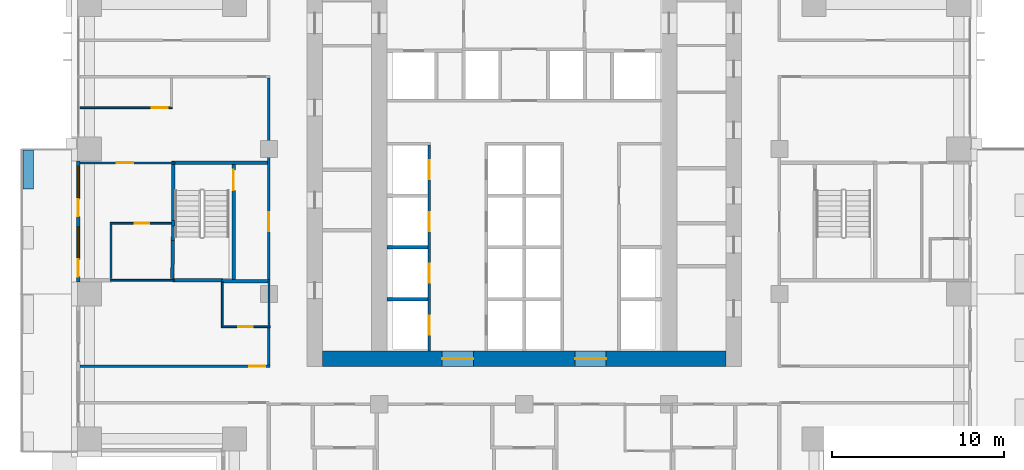
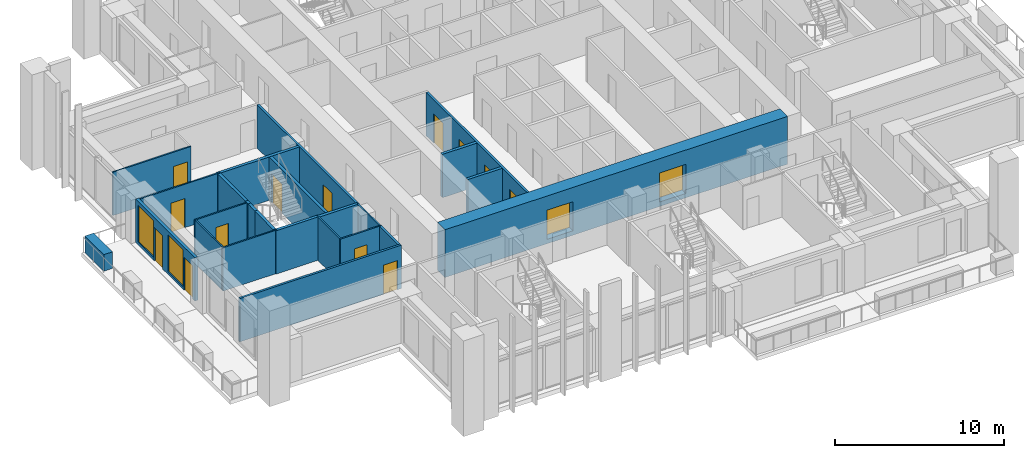
# One storey, part 9 of 19: 25 walls, 15 doors, 2 windows, 17 openings.
"""IFC4 building model written with IfcOpenShell, lengths in metres."""

from ifc_helpers import new_model, si_unit, direction, frame, frame_2d, origin, place, context, subcontext, project, spatial, rectangle, extrude, material, layer, layer_set, type_object, element, fill, save


model = new_model("IFC4")

# Units and contexts
model_context = context("Model", 3, precision=1e-05, world=origin(), true_north=direction((0.0, 1.0)))
body_context = subcontext(model_context, "Body", "Model", "MODEL_VIEW")
ifc_project = project(units=[si_unit("LENGTHUNIT", "METRE"), si_unit("AREAUNIT", "SQUARE_METRE"), si_unit("VOLUMEUNIT", "CUBIC_METRE"), si_unit("PLANEANGLEUNIT", "RADIAN"), si_unit("MASSUNIT", "GRAM", prefix="KILO")], contexts=[model_context])

# Site, building, storey
site_placement = place(None, origin())
site = spatial("IfcSite", under=ifc_project, at=site_placement, CompositionType="ELEMENT")
building_placement = place(site_placement, origin())
building = spatial("IfcBuilding", under=site, at=building_placement, Name="Vermilion Ogive Tower", CompositionType="ELEMENT")
storey_placement = place(building_placement, frame((0.0, 0.0, 48.300048828125)))
storey = spatial("IfcBuildingStorey", under=building, at=storey_placement, Name="L10", CompositionType="ELEMENT", Elevation=48.300048828125)

# Wall, openings, doors
ifc_material_1 = material(Name="Concrete B80", Category="concrete")
ifc_layer_1 = layer(ifc_material_1, 0.89990234375)
ifc_layer_set_1 = layer_set([ifc_layer_1], Name="Core wall 900 B80")
wall_type_1 = type_object("IfcWallType", Name="Core wall 900 B80", PredefinedType="SHEAR", material=ifc_layer_set_1)
wall_1_placement = place(storey_placement, frame((-11.699951171875, -7.949951171875, -0.320068359375), z_axis=(0.0, 0.0, 1.0), x_axis=(1.0, 0.0, 0.0)))
wall_1 = element("IfcWall", 1, at=wall_1_placement, inside=storey, type_object=wall_type_1, Name="L10-CORE-S", PredefinedType="SHEAR", context=body_context, shape_type="SweptSolid", body=[
    extrude(rectangle(XDim=23.39990234375, YDim=0.89990234375, at=frame_2d((11.699951171875, 0.0))), origin(), (0.0, 0.0, 1.0), 3.449951171875),
])
opening_1_placement = place(wall_1_placement, frame((6.949951171875, 0.0, 0.320068359375)))
opening_1 = element("IfcOpeningElement", 2, at=opening_1_placement, cuts=wall_1, Name="Opening DAH005", PredefinedType="OPENING", context=body_context, shape_type="SweptSolid", body=[
    extrude(rectangle(XDim=1.800048828125, YDim=2.10009765625, at=frame_2d((0.89990234375, 1.050048828125))), frame((0.0, 0.4599609375, 0.0), z_axis=(0.0, -1.0, 0.0), x_axis=(1.0, 0.0, 0.0)), (0.0, 0.0, 1.0), 0.919921875),
])
opening_2_placement = place(wall_1_placement, frame((14.64990234375, 0.0, 0.320068359375)))
opening_2 = element("IfcOpeningElement", 3, at=opening_2_placement, cuts=wall_1, Name="Opening DAH006", PredefinedType="OPENING", context=body_context, shape_type="SweptSolid", body=[
    extrude(rectangle(XDim=1.800048828125, YDim=2.10009765625, at=frame_2d((0.89990234375, 1.050048828125))), frame((0.0, 0.4599609375, 0.0), z_axis=(0.0, -1.0, 0.0), x_axis=(1.0, 0.0, 0.0)), (0.0, 0.0, 1.0), 0.919921875),
])
ifc_material_2 = material(Name="Timber door leaf", Category="wood")
door_type_1 = type_object("IfcDoorType", Name="Core entry door 1800 x 2100 FD60S", OperationType="DOUBLE_DOOR_SINGLE_SWING", PredefinedType="DOOR", material=ifc_material_2)
door_1_placement = place(opening_1_placement, origin())
door_1 = element("IfcDoor", 4, at=door_1_placement, inside=storey, type_object=door_type_1, Name="L10-CK-XD1", OperationType="SINGLE_SWING_LEFT", OverallHeight=2.10009765625, OverallWidth=1.800048828125, PredefinedType="DOOR", context=body_context, shape_type="SweptSolid", body=[
    extrude(rectangle(XDim=1.800048828125, YDim=2.10009765625, at=frame_2d((0.89990234375, 1.050048828125))), frame((0.0, 0.02490234375, 0.0), z_axis=(0.0, -1.0, 0.0), x_axis=(1.0, 0.0, 0.0)), (0.0, 0.0, 1.0), 0.050048828125),
])
fill(opening_1, door_1)
door_2_placement = place(opening_2_placement, origin())
door_2 = element("IfcDoor", 5, at=door_2_placement, inside=storey, type_object=door_type_1, Name="L10-CK-XD2", OperationType="SINGLE_SWING_LEFT", OverallHeight=2.10009765625, OverallWidth=1.800048828125, PredefinedType="DOOR", context=body_context, shape_type="SweptSolid", body=[
    extrude(rectangle(XDim=1.800048828125, YDim=2.10009765625, at=frame_2d((0.89990234375, 1.050048828125))), frame((0.0, 0.02490234375, 0.0), z_axis=(0.0, -1.0, 0.0), x_axis=(1.0, 0.0, 0.0)), (0.0, 0.0, 1.0), 0.050048828125),
])
fill(opening_2, door_2)

# Wall, opening, door
ifc_material_3 = material(Name="Gypsum board partition on steel studs", Category="steel")
ifc_layer_2 = layer(ifc_material_3, 0.10009765625)
ifc_layer_set_2 = layer_set([ifc_layer_2], Name="Partition 100 bath")
wall_type_2 = type_object("IfcWallType", Name="Partition 100 bath", PredefinedType="PARTITIONING", material=ifc_layer_set_2)
wall_2_placement = place(storey_placement, frame((-17.550048828125, -6.10009765625, 0.0), z_axis=(0.0, 0.0, 1.0), x_axis=(1.0, 0.0, 0.0)))
wall_2 = element("IfcWall", 6, at=wall_2_placement, inside=storey, type_object=wall_type_2, Name="L10-W-W017", PredefinedType="PARTITIONING", context=body_context, shape_type="SweptSolid", body=[
    extrude(rectangle(XDim=2.824951171875, YDim=0.10009765625, at=frame_2d((1.41259765625, 0.0))), origin(), (0.0, 0.0, 1.0), 3.1298828125),
])
opening_3_placement = place(wall_2_placement, frame((0.97509765625, 0.0, 0.0)))
opening_3 = element("IfcOpeningElement", 7, at=opening_3_placement, cuts=wall_2, Name="Opening D1G3004", PredefinedType="OPENING", context=body_context, shape_type="SweptSolid", body=[
    extrude(rectangle(XDim=0.85009765625, YDim=2.10009765625, at=frame_2d((0.425048828125, 1.050048828125))), frame((0.0, 0.06005859375, 0.0), z_axis=(0.0, -1.0, 0.0), x_axis=(1.0, 0.0, 0.0)), (0.0, 0.0, 1.0), 0.1201171875),
])
ifc_material_4 = material(Name="Timber door leaf", Category="wood")
door_type_2 = type_object("IfcDoorType", Name="Bath door 850 x 2100 FD30", OperationType="SINGLE_SWING_LEFT", PredefinedType="DOOR", material=ifc_material_4)
door_3_placement = place(opening_3_placement, origin())
door_3 = element("IfcDoor", 8, at=door_3_placement, inside=storey, type_object=door_type_2, Name="L10-D-D004", OperationType="SINGLE_SWING_LEFT", OverallHeight=2.10009765625, OverallWidth=0.85009765625, PredefinedType="DOOR", context=body_context, shape_type="SweptSolid", body=[
    extrude(rectangle(XDim=0.85009765625, YDim=2.10009765625, at=frame_2d((0.425048828125, 1.050048828125))), frame((0.0, 0.02490234375, 0.0), z_axis=(0.0, -1.0, 0.0), x_axis=(1.0, 0.0, 0.0)), (0.0, 0.0, 1.0), 0.050048828125),
])
fill(opening_3, door_3)

# Wall
wall_3_placement = place(storey_placement, frame((-24.0, -3.39990234375, 0.0), z_axis=(0.0, 0.0, 1.0), x_axis=(1.0, 0.0, 0.0)))
element("IfcWall", 9, at=wall_3_placement, inside=storey, type_object=wall_type_2, Name="L10-W-W019", PredefinedType="PARTITIONING", context=body_context, shape_type="SweptSolid", body=[
    extrude(rectangle(XDim=3.699951171875, YDim=0.10009765625, at=frame_2d((1.85009765625, 0.0))), origin(), (0.0, 0.0, 1.0), 3.1298828125),
])

# Wall, opening, door
wall_4_placement = place(storey_placement, frame((-24.0, -0.10009765625, 0.0), z_axis=(0.0, 0.0, 1.0), x_axis=(1.0, 0.0, 0.0)))
wall_4 = element("IfcWall", 10, at=wall_4_placement, inside=storey, type_object=wall_type_2, Name="L10-W-W025", PredefinedType="PARTITIONING", context=body_context, shape_type="SweptSolid", body=[
    extrude(rectangle(XDim=3.550048828125, YDim=0.10009765625, at=frame_2d((1.77490234375, 0.0))), origin(), (0.0, 0.0, 1.0), 3.1298828125),
])
opening_4_placement = place(wall_4_placement, frame((1.425048828125, 0.0, 0.0)))
opening_4 = element("IfcOpeningElement", 11, at=opening_4_placement, cuts=wall_4, Name="Opening D1G3008", PredefinedType="OPENING", context=body_context, shape_type="SweptSolid", body=[
    extrude(rectangle(XDim=0.85009765625, YDim=2.10009765625, at=frame_2d((0.425048828125, 1.050048828125))), frame((0.0, 0.06005859375, 0.0), z_axis=(0.0, -1.0, 0.0), x_axis=(1.0, 0.0, 0.0)), (0.0, 0.0, 1.0), 0.1201171875),
])
door_4_placement = place(opening_4_placement, origin())
door_4 = element("IfcDoor", 12, at=door_4_placement, inside=storey, type_object=door_type_2, Name="L10-D-D008", OperationType="SINGLE_SWING_RIGHT", OverallHeight=2.10009765625, OverallWidth=0.85009765625, PredefinedType="DOOR", context=body_context, shape_type="SweptSolid", body=[
    extrude(rectangle(XDim=0.85009765625, YDim=2.10009765625, at=frame_2d((0.425048828125, 1.050048828125))), frame((0.0, 0.02490234375, 0.0), z_axis=(0.0, -1.0, 0.0), x_axis=(1.0, 0.0, 0.0)), (0.0, 0.0, 1.0), 0.050048828125),
])
fill(opening_4, door_4)

# Walls
wall_5_placement = place(storey_placement, frame((-23.949951171875, -3.300048828125, 0.0), z_axis=(0.0, 0.0, 1.0), x_axis=(0.0, 1.0, 0.0)))
element("IfcWall", 13, at=wall_5_placement, inside=storey, type_object=wall_type_2, Name="L10-W-W041", PredefinedType="PARTITIONING", context=body_context, shape_type="SweptSolid", body=[
    extrude(rectangle(XDim=3.150146484375, YDim=0.10009765625, at=frame_2d((1.5751953125, 0.0))), origin(), (0.0, 0.0, 1.0), 3.1298828125),
])
wall_6_placement = place(storey_placement, frame((-17.5, -6.050048828125, 0.0), z_axis=(0.0, 0.0, 1.0), x_axis=(0.0, 1.0, 0.0)))
element("IfcWall", 14, at=wall_6_placement, inside=storey, type_object=wall_type_2, Name="L10-W-W045", PredefinedType="PARTITIONING", context=body_context, shape_type="SweptSolid", body=[
    extrude(rectangle(XDim=2.550048828125, YDim=0.10009765625, at=frame_2d((1.27490234375, 0.0))), origin(), (0.0, 0.0, 1.0), 3.1298828125),
])
wall_7_placement = place(storey_placement, frame((-14.800048828125, -6.050048828125, 0.0), z_axis=(0.0, 0.0, 1.0), x_axis=(0.0, 1.0, 0.0)))
element("IfcWall", 15, at=wall_7_placement, inside=storey, type_object=wall_type_2, Name="L10-W-W051", PredefinedType="PARTITIONING", context=body_context, shape_type="SweptSolid", body=[
    extrude(rectangle(XDim=2.60009765625, YDim=0.10009765625, at=frame_2d((1.300048828125, 0.0))), origin(), (0.0, 0.0, 1.0), 3.1298828125),
])

# Wall, opening, door
ifc_material_5 = material(Name="Gypsum board partition on steel studs", Category="steel")
ifc_layer_3 = layer(ifc_material_5, 0.10009765625)
ifc_layer_set_3 = layer_set([ifc_layer_3], Name="Partition 100 inner")
wall_type_3 = type_object("IfcWallType", Name="Partition 100 inner", PredefinedType="PARTITIONING", material=ifc_layer_set_3)
wall_8_placement = place(storey_placement, frame((-25.75, 3.39990234375, 0.0), z_axis=(0.0, 0.0, 1.0), x_axis=(1.0, 0.0, 0.0)))
wall_8 = element("IfcWall", 16, at=wall_8_placement, inside=storey, type_object=wall_type_3, Name="L10-W-W026", PredefinedType="PARTITIONING", context=body_context, shape_type="SweptSolid", body=[
    extrude(rectangle(XDim=5.5, YDim=0.10009765625, at=frame_2d((2.75, 0.0))), origin(), (0.0, 0.0, 1.0), 3.1298828125),
])
opening_5_placement = place(wall_8_placement, frame((2.125, 0.0, 0.0)))
opening_5 = element("IfcOpeningElement", 17, at=opening_5_placement, cuts=wall_8, Name="Opening D1G3007", PredefinedType="OPENING", context=body_context, shape_type="SweptSolid", body=[
    extrude(rectangle(XDim=0.949951171875, YDim=2.10009765625, at=frame_2d((0.47509765625, 1.050048828125))), frame((0.0, 0.06005859375, 0.0), z_axis=(0.0, -1.0, 0.0), x_axis=(1.0, 0.0, 0.0)), (0.0, 0.0, 1.0), 0.1201171875),
])
ifc_material_6 = material(Name="Timber door leaf", Category="wood")
door_type_3 = type_object("IfcDoorType", Name="Inner door 950 x 2100 FD30", OperationType="SINGLE_SWING_LEFT", PredefinedType="DOOR", material=ifc_material_6)
door_5_placement = place(opening_5_placement, origin())
door_5 = element("IfcDoor", 18, at=door_5_placement, inside=storey, type_object=door_type_3, Name="L10-D-D007", OperationType="SINGLE_SWING_LEFT", OverallHeight=2.10009765625, OverallWidth=0.949951171875, PredefinedType="DOOR", context=body_context, shape_type="SweptSolid", body=[
    extrude(rectangle(XDim=0.949951171875, YDim=2.10009765625, at=frame_2d((0.47509765625, 1.050048828125))), frame((0.0, 0.02490234375, 0.0), z_axis=(0.0, -1.0, 0.0), x_axis=(1.0, 0.0, 0.0)), (0.0, 0.0, 1.0), 0.050048828125),
])
fill(opening_5, door_5)

wall_9_placement = place(storey_placement, frame((-25.75, 6.60009765625, 0.0), z_axis=(0.0, 0.0, 1.0), x_axis=(1.0, 0.0, 0.0)))
wall_9 = element("IfcWall", 19, at=wall_9_placement, inside=storey, type_object=wall_type_3, Name="L10-W-W030", PredefinedType="PARTITIONING", context=body_context, shape_type="SweptSolid", body=[
    extrude(rectangle(XDim=5.35009765625, YDim=0.10009765625, at=frame_2d((2.675048828125, 0.0))), origin(), (0.0, 0.0, 1.0), 3.1298828125),
])
opening_6_placement = place(wall_9_placement, frame((4.14990234375, 0.0, 0.0)))
opening_6 = element("IfcOpeningElement", 20, at=opening_6_placement, cuts=wall_9, Name="Opening D1G3005", PredefinedType="OPENING", context=body_context, shape_type="SweptSolid", body=[
    extrude(rectangle(XDim=0.949951171875, YDim=2.10009765625, at=frame_2d((0.47509765625, 1.050048828125))), frame((0.0, 0.06005859375, 0.0), z_axis=(0.0, -1.0, 0.0), x_axis=(1.0, 0.0, 0.0)), (0.0, 0.0, 1.0), 0.1201171875),
])
door_6_placement = place(opening_6_placement, origin())
door_6 = element("IfcDoor", 21, at=door_6_placement, inside=storey, type_object=door_type_3, Name="L10-D-D005", OperationType="SINGLE_SWING_LEFT", OverallHeight=2.10009765625, OverallWidth=0.949951171875, PredefinedType="DOOR", context=body_context, shape_type="SweptSolid", body=[
    extrude(rectangle(XDim=0.949951171875, YDim=2.10009765625, at=frame_2d((0.47509765625, 1.050048828125))), frame((0.0, 0.02490234375, 0.0), z_axis=(0.0, -1.0, 0.0), x_axis=(1.0, 0.0, 0.0)), (0.0, 0.0, 1.0), 0.050048828125),
])
fill(opening_6, door_6)

ifc_material_7 = material(Name="Gypsum board partition on steel studs", Category="steel")
ifc_layer_4 = layer(ifc_material_7, 0.14990234375)
ifc_layer_set_4 = layer_set([ifc_layer_4], Name="Partition 150 corridor")
wall_type_4 = type_object("IfcWallType", Name="Partition 150 corridor", PredefinedType="PARTITIONING", material=ifc_layer_set_4)
wall_10_placement = place(storey_placement, frame((-25.75, -8.39990234375, 0.0), z_axis=(0.0, 0.0, 1.0), x_axis=(1.0, 0.0, 0.0)))
wall_10 = element("IfcWall", 22, at=wall_10_placement, inside=storey, type_object=wall_type_4, Name="L10-W-W015", PredefinedType="PARTITIONING", context=body_context, shape_type="SweptSolid", body=[
    extrude(rectangle(XDim=11.02490234375, YDim=0.14990234375, at=frame_2d((5.512451171875, 0.0))), origin(), (0.0, 0.0, 1.0), 3.1298828125),
])
opening_7_placement = place(wall_10_placement, frame((9.800048828125, 0.0, 0.0)))
opening_7 = element("IfcOpeningElement", 23, at=opening_7_placement, cuts=wall_10, Name="Opening D1G3003", PredefinedType="OPENING", context=body_context, shape_type="SweptSolid", body=[
    extrude(rectangle(XDim=0.949951171875, YDim=2.10009765625, at=frame_2d((0.47509765625, 1.050048828125))), frame((0.0, 0.0849609375, 0.0), z_axis=(0.0, -1.0, 0.0), x_axis=(1.0, 0.0, 0.0)), (0.0, 0.0, 1.0), 0.169921875),
])
ifc_material_8 = material(Name="Timber door leaf", Category="wood")
door_type_4 = type_object("IfcDoorType", Name="Unit door 950 x 2100 FD30S", OperationType="SINGLE_SWING_LEFT", PredefinedType="DOOR", material=ifc_material_8)
door_7_placement = place(opening_7_placement, origin())
door_7 = element("IfcDoor", 24, at=door_7_placement, inside=storey, type_object=door_type_4, Name="L10-D-D003", OperationType="SINGLE_SWING_LEFT", OverallHeight=2.10009765625, OverallWidth=0.949951171875, PredefinedType="DOOR", context=body_context, shape_type="SweptSolid", body=[
    extrude(rectangle(XDim=0.949951171875, YDim=2.10009765625, at=frame_2d((0.47509765625, 1.050048828125))), frame((0.0, 0.02490234375, 0.0), z_axis=(0.0, -1.0, 0.0), x_axis=(1.0, 0.0, 0.0)), (0.0, 0.0, 1.0), 0.050048828125),
])
fill(opening_7, door_7)

# Wall
wall_11_placement = place(storey_placement, frame((-14.800048828125, -8.324951171875, 0.0), z_axis=(0.0, 0.0, 1.0), x_axis=(0.0, 1.0, 0.0)))
element("IfcWall", 25, at=wall_11_placement, inside=storey, type_object=wall_type_4, Name="L10-W-W050", PredefinedType="PARTITIONING", context=body_context, shape_type="SweptSolid", body=[
    extrude(rectangle(XDim=2.175048828125, YDim=0.14990234375, at=frame_2d((1.08740234375, 0.0))), origin(), (0.0, 0.0, 1.0), 3.1298828125),
])

# Wall, opening, door
wall_12_placement = place(storey_placement, frame((-14.800048828125, -3.35009765625, 0.0), z_axis=(0.0, 0.0, 1.0), x_axis=(0.0, 1.0, 0.0)))
wall_12 = element("IfcWall", 26, at=wall_12_placement, inside=storey, type_object=wall_type_4, Name="L10-W-W052", PredefinedType="PARTITIONING", context=body_context, shape_type="SweptSolid", body=[
    extrude(rectangle(XDim=11.675048828125, YDim=0.14990234375, at=frame_2d((5.83740234375, 0.0))), origin(), (0.0, 0.0, 1.0), 3.1298828125),
])
opening_8_placement = place(wall_12_placement, frame((2.800048828125, 0.0, 0.0)))
opening_8 = element("IfcOpeningElement", 27, at=opening_8_placement, cuts=wall_12, Name="Opening D1G3031", PredefinedType="OPENING", context=body_context, shape_type="SweptSolid", body=[
    extrude(rectangle(XDim=1.10009765625, YDim=2.10009765625, at=frame_2d((0.550048828125, 1.050048828125))), frame((0.0, 0.0849609375, 0.0), z_axis=(0.0, -1.0, 0.0), x_axis=(1.0, 0.0, 0.0)), (0.0, 0.0, 1.0), 0.169921875),
])
ifc_material_9 = material(Name="Timber door leaf", Category="wood")
door_type_5 = type_object("IfcDoorType", Name="Stair door 1100 x 2100 FD60S", OperationType="SINGLE_SWING_LEFT", PredefinedType="DOOR", material=ifc_material_9)
door_8_placement = place(opening_8_placement, origin())
door_8 = element("IfcDoor", 28, at=door_8_placement, inside=storey, type_object=door_type_5, Name="L10-D-D031", OperationType="SINGLE_SWING_RIGHT", OverallHeight=2.10009765625, OverallWidth=1.10009765625, PredefinedType="DOOR", context=body_context, shape_type="SweptSolid", body=[
    extrude(rectangle(XDim=1.10009765625, YDim=2.10009765625, at=frame_2d((0.550048828125, 1.050048828125))), frame((0.0, 0.02490234375, 0.0), z_axis=(0.0, -1.0, 0.0), x_axis=(1.0, 0.0, 0.0)), (0.0, 0.0, 1.0), 0.050048828125),
])
fill(opening_8, door_8)

# Wall, openings, doors
wall_13_placement = place(storey_placement, frame((-5.5, -7.4990234375, 0.0), z_axis=(0.0, 0.0, 1.0), x_axis=(0.0, 1.0, 0.0)))
wall_13 = element("IfcWall", 29, at=wall_13_placement, inside=storey, type_object=wall_type_4, Name="L10-CK-W-W021", PredefinedType="PARTITIONING", context=body_context, shape_type="SweptSolid", body=[
    extrude(rectangle(XDim=11.924072265625, YDim=0.14990234375, at=frame_2d((5.9619140625, 0.0))), origin(), (0.0, 0.0, 1.0), 3.1298828125),
])
opening_9_placement = place(wall_13_placement, frame((0.948974609375, 0.0, 0.0)))
opening_9 = element("IfcOpeningElement", 30, at=opening_9_placement, cuts=wall_13, Name="Opening DAA056", PredefinedType="OPENING", context=body_context, shape_type="SweptSolid", body=[
    extrude(rectangle(XDim=1.10009765625, YDim=2.10009765625, at=frame_2d((0.550048828125, 1.050048828125))), frame((0.0, 0.0849609375, 0.0), z_axis=(0.0, -1.0, 0.0), x_axis=(1.0, 0.0, 0.0)), (0.0, 0.0, 1.0), 0.169921875),
])
opening_10_placement = place(wall_13_placement, frame((3.948974609375, 0.0, 0.0)))
opening_10 = element("IfcOpeningElement", 31, at=opening_10_placement, cuts=wall_13, Name="Opening DAA059", PredefinedType="OPENING", context=body_context, shape_type="SweptSolid", body=[
    extrude(rectangle(XDim=1.10009765625, YDim=2.10009765625, at=frame_2d((0.550048828125, 1.050048828125))), frame((0.0, 0.0849609375, 0.0), z_axis=(0.0, -1.0, 0.0), x_axis=(1.0, 0.0, 0.0)), (0.0, 0.0, 1.0), 0.169921875),
])
opening_11_placement = place(wall_13_placement, frame((6.948974609375, 0.0, 0.0)))
opening_11 = element("IfcOpeningElement", 32, at=opening_11_placement, cuts=wall_13, Name="Opening DAA060", PredefinedType="OPENING", context=body_context, shape_type="SweptSolid", body=[
    extrude(rectangle(XDim=1.10009765625, YDim=2.10009765625, at=frame_2d((0.550048828125, 1.050048828125))), frame((0.0, 0.0849609375, 0.0), z_axis=(0.0, -1.0, 0.0), x_axis=(1.0, 0.0, 0.0)), (0.0, 0.0, 1.0), 0.169921875),
])
opening_12_placement = place(wall_13_placement, frame((9.948974609375, 0.0, 0.0)))
opening_12 = element("IfcOpeningElement", 33, at=opening_12_placement, cuts=wall_13, Name="Opening DAA061", PredefinedType="OPENING", context=body_context, shape_type="SweptSolid", body=[
    extrude(rectangle(XDim=1.10009765625, YDim=2.10009765625, at=frame_2d((0.550048828125, 1.050048828125))), frame((0.0, 0.0849609375, 0.0), z_axis=(0.0, -1.0, 0.0), x_axis=(1.0, 0.0, 0.0)), (0.0, 0.0, 1.0), 0.169921875),
])
ifc_material_10 = material(Name="Stainless steel", Category="steel")
door_type_6 = type_object("IfcDoorType", Name="Lift landing door 1100 x 2100", OperationType="SLIDING_TO_LEFT", PredefinedType="DOOR", material=ifc_material_10)
door_9_placement = place(opening_9_placement, origin())
door_9 = element("IfcDoor", 34, at=door_9_placement, inside=storey, type_object=door_type_6, Name="L10-CK-D-D001", OperationType="SLIDING_TO_RIGHT", OverallHeight=2.10009765625, OverallWidth=1.10009765625, PredefinedType="DOOR", context=body_context, shape_type="SweptSolid", body=[
    extrude(rectangle(XDim=1.10009765625, YDim=2.10009765625, at=frame_2d((0.550048828125, 1.050048828125))), frame((0.0, 0.02490234375, 0.0), z_axis=(0.0, -1.0, 0.0), x_axis=(1.0, 0.0, 0.0)), (0.0, 0.0, 1.0), 0.050048828125),
])
fill(opening_9, door_9)
door_10_placement = place(opening_10_placement, origin())
door_10 = element("IfcDoor", 35, at=door_10_placement, inside=storey, type_object=door_type_6, Name="L10-CK-D-D002", OperationType="SLIDING_TO_RIGHT", OverallHeight=2.10009765625, OverallWidth=1.10009765625, PredefinedType="DOOR", context=body_context, shape_type="SweptSolid", body=[
    extrude(rectangle(XDim=1.10009765625, YDim=2.10009765625, at=frame_2d((0.550048828125, 1.050048828125))), frame((0.0, 0.02490234375, 0.0), z_axis=(0.0, -1.0, 0.0), x_axis=(1.0, 0.0, 0.0)), (0.0, 0.0, 1.0), 0.050048828125),
])
fill(opening_10, door_10)
door_11_placement = place(opening_11_placement, origin())
door_11 = element("IfcDoor", 36, at=door_11_placement, inside=storey, type_object=door_type_6, Name="L10-CK-D-D003", OperationType="SLIDING_TO_RIGHT", OverallHeight=2.10009765625, OverallWidth=1.10009765625, PredefinedType="DOOR", context=body_context, shape_type="SweptSolid", body=[
    extrude(rectangle(XDim=1.10009765625, YDim=2.10009765625, at=frame_2d((0.550048828125, 1.050048828125))), frame((0.0, 0.02490234375, 0.0), z_axis=(0.0, -1.0, 0.0), x_axis=(1.0, 0.0, 0.0)), (0.0, 0.0, 1.0), 0.050048828125),
])
fill(opening_11, door_11)
door_12_placement = place(opening_12_placement, origin())
door_12 = element("IfcDoor", 37, at=door_12_placement, inside=storey, type_object=door_type_6, Name="L10-CK-D-D004", OperationType="SLIDING_TO_RIGHT", OverallHeight=2.10009765625, OverallWidth=1.10009765625, PredefinedType="DOOR", context=body_context, shape_type="SweptSolid", body=[
    extrude(rectangle(XDim=1.10009765625, YDim=2.10009765625, at=frame_2d((0.550048828125, 1.050048828125))), frame((0.0, 0.02490234375, 0.0), z_axis=(0.0, -1.0, 0.0), x_axis=(1.0, 0.0, 0.0)), (0.0, 0.0, 1.0), 0.050048828125),
])
fill(opening_12, door_12)

# Walls
ifc_material_11 = material(Name="Gypsum board partition on steel studs", Category="steel")
ifc_layer_5 = layer(ifc_material_11, 0.199951171875)
ifc_layer_set_5 = layer_set([ifc_layer_5], Name="Partition 200 party")
wall_type_5 = type_object("IfcWallType", Name="Partition 200 party", PredefinedType="PARTITIONING", material=ifc_layer_set_5)
for number, where, z_axis, x_axis, name in (
    (38, (-7.948974609375, -4.5, 0.0), (0.0, 0.0, 1.0), (1.0, 0.0, 0.0), "L10-CK-W-W001"),
    (39, (-7.948974609375, -1.5, 0.0), (0.0, 0.0, 1.0), (1.0, 0.0, 0.0), "L10-CK-W-W004"),
):
    element("IfcWall", number, at=place(storey_placement, frame(where, z_axis=z_axis, x_axis=x_axis)), inside=storey, type_object=wall_type_5, Name=name, PredefinedType="PARTITIONING", context=body_context, shape_type="SweptSolid", body=[
        extrude(rectangle(XDim=2.3740234375, YDim=0.199951171875, at=frame_2d((1.18701171875, 0.0))), origin(), (0.0, 0.0, 1.0), 3.1298828125),
    ])
ifc_material_12 = material(Name="Concrete B60", Category="concrete")
ifc_layer_6 = layer(ifc_material_12, 0.199951171875)
ifc_layer_set_6 = layer_set([ifc_layer_6], Name="Stair shaft wall 200 Concrete B60")
wall_type_6 = type_object("IfcWallType", Name="Stair shaft wall 200 Concrete B60", PredefinedType="SOLIDWALL", material=ifc_layer_set_6)
wall_14_placement = place(storey_placement, frame((-20.39990234375, -3.39990234375, 0.0), z_axis=(0.0, 0.0, 1.0), x_axis=(1.0, 0.0, 0.0)))
element("IfcWall", 40, at=wall_14_placement, inside=storey, type_object=wall_type_6, Name="L10-W-W020", PredefinedType="SOLIDWALL", context=body_context, shape_type="SweptSolid", body=[
    extrude(rectangle(XDim=2.949951171875, YDim=0.199951171875, at=frame_2d((1.47509765625, 0.0))), origin(), (0.0, 0.0, 1.0), 3.1298828125),
])
wall_15_placement = place(storey_placement, frame((-17.550048828125, -3.449951171875, 0.0), z_axis=(0.0, 0.0, 1.0), x_axis=(1.0, 0.0, 0.0)))
element("IfcWall", 41, at=wall_15_placement, inside=storey, type_object=wall_type_6, Name="L10-W-W021", PredefinedType="SOLIDWALL", context=body_context, shape_type="SweptSolid", body=[
    extrude(rectangle(XDim=2.824951171875, YDim=0.199951171875, at=frame_2d((1.41259765625, 0.0))), origin(), (0.0, 0.0, 1.0), 3.1298828125),
])
wall_16_placement = place(storey_placement, frame((-20.449951171875, 3.39990234375, 0.0), z_axis=(0.0, 0.0, 1.0), x_axis=(1.0, 0.0, 0.0)))
element("IfcWall", 42, at=wall_16_placement, inside=storey, type_object=wall_type_6, Name="L10-W-W027", PredefinedType="SOLIDWALL", context=body_context, shape_type="SweptSolid", body=[
    extrude(rectangle(XDim=5.574951171875, YDim=0.199951171875, at=frame_2d((2.78759765625, 0.0))), origin(), (0.0, 0.0, 1.0), 3.1298828125),
])
wall_17_placement = place(storey_placement, frame((-20.400146484375, -3.300048828125, 0.0), z_axis=(0.0, 0.0, 1.0), x_axis=(0.016200292967, 0.999868766643, 0.0)))
element("IfcWall", 43, at=wall_17_placement, inside=storey, type_object=wall_type_6, Name="L10-W-W043", PredefinedType="SOLIDWALL", context=body_context, shape_type="SweptSolid", body=[
    extrude(rectangle(XDim=2.2001953125, YDim=0.199951171875, at=frame_2d((1.10009765625, 0.0))), origin(), (0.0, 0.0, 1.0), 3.1298828125),
])
wall_18_placement = place(storey_placement, frame((-20.35009765625, 0.070068359375, 0.0), z_axis=(0.0, 0.0, 1.0), x_axis=(0.0, 1.0, 0.0)))
element("IfcWall", 44, at=wall_18_placement, inside=storey, type_object=wall_type_6, Name="L10-W-W044", PredefinedType="SOLIDWALL", context=body_context, shape_type="SweptSolid", body=[
    extrude(rectangle(XDim=3.22998046875, YDim=0.199951171875, at=frame_2d((1.614990234375, 0.0))), origin(), (0.0, 0.0, 1.0), 3.1298828125),
])

# Wall, opening, door
wall_19_placement = place(storey_placement, frame((-16.85009765625, -3.35009765625, 0.0), z_axis=(0.0, 0.0, 1.0), x_axis=(0.0, 1.0, 0.0)))
wall_19 = element("IfcWall", 45, at=wall_19_placement, inside=storey, type_object=wall_type_6, Name="L10-W-W047", PredefinedType="SOLIDWALL", context=body_context, shape_type="SweptSolid", body=[
    extrude(rectangle(XDim=6.650146484375, YDim=0.199951171875, at=frame_2d((3.3251953125, 0.0))), origin(), (0.0, 0.0, 1.0), 3.1298828125),
])
opening_13_placement = place(wall_19_placement, frame((5.14990234375, 0.0, 0.0)))
opening_13 = element("IfcOpeningElement", 46, at=opening_13_placement, cuts=wall_19, Name="Opening D1G3032", PredefinedType="OPENING", context=body_context, shape_type="SweptSolid", body=[
    extrude(rectangle(XDim=1.199951171875, YDim=2.10009765625, at=frame_2d((0.60009765625, 1.050048828125))), frame((0.0, 0.10986328125, 0.0), z_axis=(0.0, -1.0, 0.0), x_axis=(1.0, 0.0, 0.0)), (0.0, 0.0, 1.0), 0.219970703125),
])
ifc_material_13 = material(Name="Timber door leaf", Category="wood")
door_type_7 = type_object("IfcDoorType", Name="Stair door 1200 x 2100 FD60S", OperationType="SINGLE_SWING_LEFT", PredefinedType="DOOR", material=ifc_material_13)
door_13_placement = place(opening_13_placement, origin())
door_13 = element("IfcDoor", 47, at=door_13_placement, inside=storey, type_object=door_type_7, Name="L10-D-D032", OperationType="SINGLE_SWING_RIGHT", OverallHeight=2.10009765625, OverallWidth=1.199951171875, PredefinedType="DOOR", context=body_context, shape_type="SweptSolid", body=[
    extrude(rectangle(XDim=1.199951171875, YDim=2.10009765625, at=frame_2d((0.60009765625, 1.050048828125))), frame((0.0, 0.02490234375, 0.0), z_axis=(0.0, -1.0, 0.0), x_axis=(1.0, 0.0, 0.0)), (0.0, 0.0, 1.0), 0.050048828125),
])
fill(opening_13, door_13)

# Walls
wall_20_placement = place(storey_placement, frame((-20.35009765625, -0.27001953125, 0.0), z_axis=(0.0, 0.0, 1.0), x_axis=(0.0, 1.0, 0.0)))
element("IfcWall", 48, at=wall_20_placement, inside=storey, type_object=wall_type_6, Name="L10-SW-ST9-W1", PredefinedType="SOLIDWALL", context=body_context, shape_type="SweptSolid", body=[
    extrude(rectangle(XDim=0.340087890625, YDim=0.199951171875, at=frame_2d((0.169921875, 0.0))), origin(), (0.0, 0.0, 1.0), 3.1298828125),
])
wall_21_placement = place(storey_placement, frame((-20.364501953125, -1.10009765625, 0.0), z_axis=(0.0, 0.0, 1.0), x_axis=(0.015880350165, 0.999873899289, 0.0)))
element("IfcWall", 49, at=wall_21_placement, inside=storey, type_object=wall_type_6, Name="L10-W-W043-B", PredefinedType="SOLIDWALL", context=body_context, shape_type="SweptSolid", body=[
    extrude(rectangle(XDim=0.830078125, YDim=0.199951171875, at=frame_2d((0.4150390625, 0.0))), origin(), (0.0, 0.0, 1.0), 3.1298828125),
])
ifc_material_14 = material(Name="Concrete B40", Category="concrete")
ifc_layer_7 = layer(ifc_material_14, 0.60009765625)
ifc_layer_set_7 = layer_set([ifc_layer_7], Name="Structural planter")
wall_type_7 = type_object("IfcWallType", Name="Structural planter", PredefinedType="USERDEFINED", material=ifc_layer_set_7)
wall_22_placement = place(storey_placement, frame((-28.75, 4.139892578125, -0.0400390625), z_axis=(0.0, 0.0, 1.0), x_axis=(0.0, -1.0, 0.0)))
element("IfcWall", 50, at=wall_22_placement, inside=storey, type_object=wall_type_7, Name="Planter W02A1", ObjectType="PLANTER", PredefinedType="USERDEFINED", context=body_context, shape_type="SweptSolid", body=[
    extrude(rectangle(XDim=2.239990234375, YDim=0.60009765625, at=frame_2d((1.1201171875, 0.0))), origin(), (0.0, 0.0, 1.0), 1.199951171875),
])

# Wall, openings, doors, windows
ifc_material_15 = material(Name="Aluminium window wall framing", Category="aluminium")
ifc_layer_8 = layer(ifc_material_15, 0.199951171875)
ifc_layer_set_8 = layer_set([ifc_layer_8], Name="Window wall")
wall_type_8 = type_object("IfcWallType", Name="Window wall", PredefinedType="STANDARD", material=ifc_layer_set_8)
wall_23_placement = place(storey_placement, frame((-25.85009765625, 3.5, 0.0), z_axis=(0.0, 0.0, 1.0), x_axis=(0.0, -1.0, 0.0)))
wall_23 = element("IfcWall", 51, at=wall_23_placement, inside=storey, type_object=wall_type_8, Name="Window wall W2", PredefinedType="STANDARD", context=body_context, shape_type="SweptSolid", body=[
    extrude(rectangle(XDim=7.0, YDim=0.199951171875, at=frame_2d((3.5, 0.0))), origin(), (0.0, 0.0, 1.0), 3.1298828125),
])
opening_14_placement = place(wall_23_placement, frame((3.800048828125, 0.0, 0.199951171875)))
opening_14 = element("IfcOpeningElement", 52, at=opening_14_placement, cuts=wall_23, Name="Opening W1-W99", PredefinedType="OPENING", context=body_context, shape_type="SweptSolid", body=[
    extrude(rectangle(XDim=1.800048828125, YDim=2.64990234375, at=frame_2d((0.89990234375, 1.324951171875))), frame((0.0, 0.10986328125, 0.0), z_axis=(0.0, -1.0, 0.0), x_axis=(1.0, 0.0, 0.0)), (0.0, 0.0, 1.0), 0.219970703125),
])
opening_15_placement = place(wall_23_placement, frame((5.699951171875, 0.0, 0.0)))
opening_15 = element("IfcOpeningElement", 53, at=opening_15_placement, cuts=wall_23, Name="Opening D1-W99", PredefinedType="OPENING", context=body_context, shape_type="SweptSolid", body=[
    extrude(rectangle(XDim=1.0, YDim=2.39990234375, at=frame_2d((0.5, 1.199951171875))), frame((0.0, 0.10986328125, 0.0), z_axis=(0.0, -1.0, 0.0), x_axis=(1.0, 0.0, 0.0)), (0.0, 0.0, 1.0), 0.219970703125),
])
opening_16_placement = place(wall_23_placement, frame((0.300048828125, 0.0, 0.199951171875)))
opening_16 = element("IfcOpeningElement", 54, at=opening_16_placement, cuts=wall_23, Name="Opening W1-W00", PredefinedType="OPENING", context=body_context, shape_type="SweptSolid", body=[
    extrude(rectangle(XDim=1.800048828125, YDim=2.64990234375, at=frame_2d((0.89990234375, 1.324951171875))), frame((0.0, 0.10986328125, 0.0), z_axis=(0.0, -1.0, 0.0), x_axis=(1.0, 0.0, 0.0)), (0.0, 0.0, 1.0), 0.219970703125),
])
opening_17_placement = place(wall_23_placement, frame((2.199951171875, 0.0, 0.0)))
opening_17 = element("IfcOpeningElement", 55, at=opening_17_placement, cuts=wall_23, Name="Opening D1-W00", PredefinedType="OPENING", context=body_context, shape_type="SweptSolid", body=[
    extrude(rectangle(XDim=1.0, YDim=2.39990234375, at=frame_2d((0.5, 1.199951171875))), frame((0.0, 0.10986328125, 0.0), z_axis=(0.0, -1.0, 0.0), x_axis=(1.0, 0.0, 0.0)), (0.0, 0.0, 1.0), 0.219970703125),
])
ifc_material_16 = material(Name="Aluminium framed glazed door", Category="aluminium")
door_type_8 = type_object("IfcDoorType", Name="Balcony door D1", OperationType="SINGLE_SWING_LEFT", PredefinedType="DOOR", material=ifc_material_16)
door_14_placement = place(opening_15_placement, origin())
door_14 = element("IfcDoor", 56, at=door_14_placement, inside=storey, type_object=door_type_8, Name="Balcony door W99", OperationType="SINGLE_SWING_LEFT", OverallHeight=2.39990234375, OverallWidth=1.0, PredefinedType="DOOR", context=body_context, shape_type="SweptSolid", body=[
    extrude(rectangle(XDim=1.0, YDim=2.39990234375, at=frame_2d((0.5, 1.199951171875))), frame((0.0, 0.02490234375, 0.0), z_axis=(0.0, -1.0, 0.0), x_axis=(1.0, 0.0, 0.0)), (0.0, 0.0, 1.0), 0.050048828125),
])
fill(opening_15, door_14)
door_15_placement = place(opening_17_placement, origin())
door_15 = element("IfcDoor", 57, at=door_15_placement, inside=storey, type_object=door_type_8, Name="Balcony door W00", OperationType="SINGLE_SWING_LEFT", OverallHeight=2.39990234375, OverallWidth=1.0, PredefinedType="DOOR", context=body_context, shape_type="SweptSolid", body=[
    extrude(rectangle(XDim=1.0, YDim=2.39990234375, at=frame_2d((0.5, 1.199951171875))), frame((0.0, 0.02490234375, 0.0), z_axis=(0.0, -1.0, 0.0), x_axis=(1.0, 0.0, 0.0)), (0.0, 0.0, 1.0), 0.050048828125),
])
fill(opening_17, door_15)
ifc_material_17 = material(Name="Aluminium framed double glazing", Category="aluminium")
window_type = type_object("IfcWindowType", Name="Guest window W1", PartitioningType="SINGLE_PANEL", PredefinedType="WINDOW", material=ifc_material_17)
window_1_placement = place(opening_14_placement, origin())
window_1 = element("IfcWindow", 58, at=window_1_placement, inside=storey, type_object=window_type, Name="Window W99", OverallHeight=2.64990234375, OverallWidth=1.800048828125, PartitioningType="SINGLE_PANEL", PredefinedType="WINDOW", context=body_context, shape_type="SweptSolid", body=[
    extrude(rectangle(XDim=1.800048828125, YDim=2.64990234375, at=frame_2d((0.89990234375, 1.324951171875))), frame((0.0, 0.030029296875, 0.0), z_axis=(0.0, -1.0, 0.0), x_axis=(1.0, 0.0, 0.0)), (0.0, 0.0, 1.0), 0.06005859375),
])
fill(opening_14, window_1)
window_2_placement = place(opening_16_placement, origin())
window_2 = element("IfcWindow", 59, at=window_2_placement, inside=storey, type_object=window_type, Name="Window W00", OverallHeight=2.64990234375, OverallWidth=1.800048828125, PartitioningType="SINGLE_PANEL", PredefinedType="WINDOW", context=body_context, shape_type="SweptSolid", body=[
    extrude(rectangle(XDim=1.800048828125, YDim=2.64990234375, at=frame_2d((0.89990234375, 1.324951171875))), frame((0.0, 0.030029296875, 0.0), z_axis=(0.0, -1.0, 0.0), x_axis=(1.0, 0.0, 0.0)), (0.0, 0.0, 1.0), 0.06005859375),
])
fill(opening_16, window_2)

save(model, "model.ifc")
